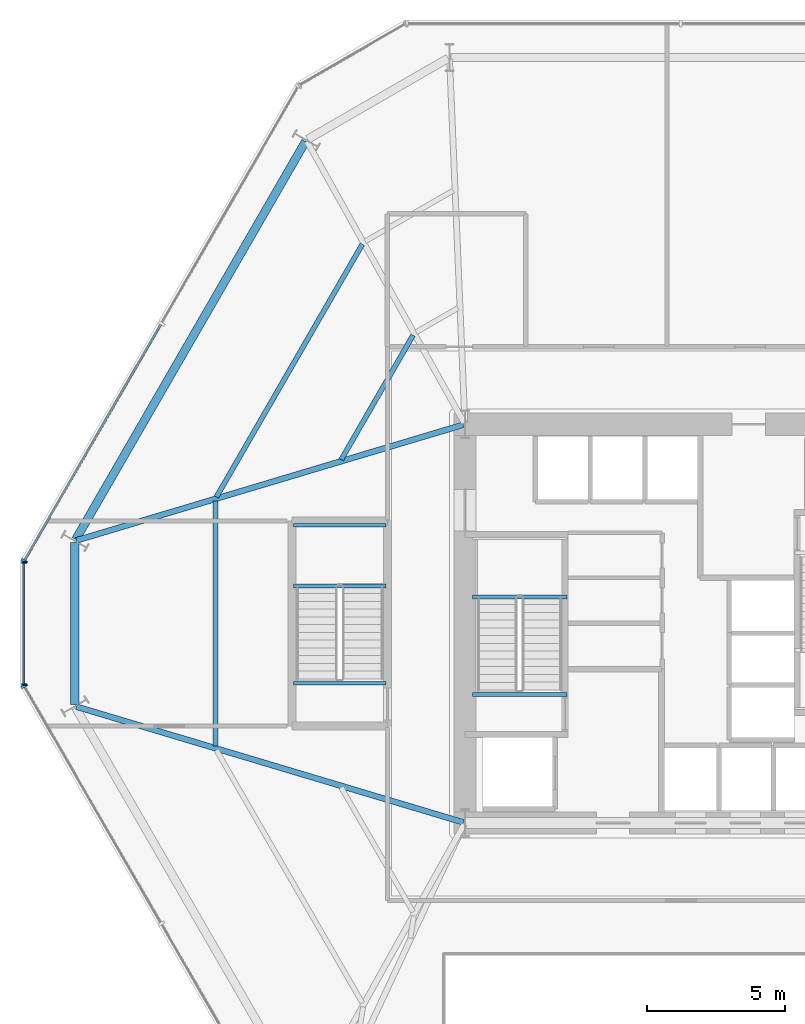
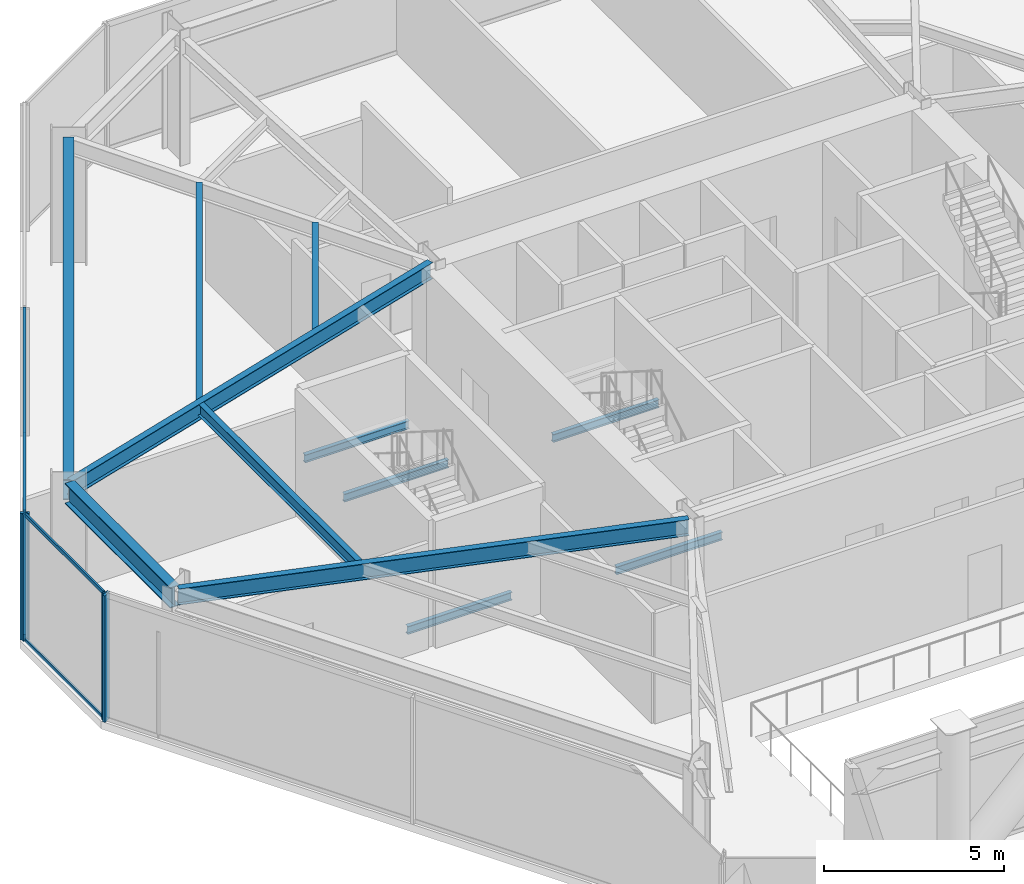
# One storey, part 7 of 23: 12 beams, 8 members, 3 elements without a shape of their own.
"""IFC4 building model written with IfcOpenShell, lengths in metres."""

from ifc_helpers import new_model, si_unit, direction, frame, origin, origin_2d, place, context, subcontext, project, spatial, rectangle, i_section, extrude, material, layer, layer_set, material_profile, profile_set, type_object, element, aggregate, save


model = new_model("IFC4")

# Units and contexts
model_context = context("Model", 3, precision=1e-05, world=origin(), true_north=direction((0.0, 1.0)))
body_context = subcontext(model_context, "Body", "Model", "MODEL_VIEW")
ifc_project = project(units=[si_unit("LENGTHUNIT", "METRE"), si_unit("AREAUNIT", "SQUARE_METRE"), si_unit("VOLUMEUNIT", "CUBIC_METRE"), si_unit("PLANEANGLEUNIT", "RADIAN"), si_unit("MASSUNIT", "GRAM", prefix="KILO")], contexts=[model_context])

# Site, building, storey
site_placement = place(None, origin())
site = spatial("IfcSite", under=ifc_project, at=site_placement, CompositionType="ELEMENT")
building_placement = place(site_placement, origin())
building = spatial("IfcBuilding", under=site, at=building_placement, Name="Kranzbogen Civic Tower", CompositionType="ELEMENT")
storey_placement = place(building_placement, frame((0.0, 0.0, 14.39990234375)))
storey = spatial("IfcBuildingStorey", under=building, at=storey_placement, Name="L03", CompositionType="ELEMENT", Elevation=14.39990234375)

# Curtain wall, members
ifc_material_1 = material(Name="Pale Anodised Aluminium", Category="aluminium")
ifc_layer_1 = layer(ifc_material_1, 0.219970703125, Name="Pale Anodised Aluminium")
ifc_layer_set_1 = layer_set([ifc_layer_1], Name="Pale Anodised Aluminium")
curtain_wall_type_1 = type_object("IfcCurtainWallType", Name="Chamfer Facet Stick Curtain Wall System CW-06", PredefinedType="USERDEFINED", material=ifc_layer_set_1)
curtain_wall_1_placement = place(storey_placement, origin())
curtain_wall_1 = element("IfcCurtainWall", 1, at=curtain_wall_1_placement, inside=storey, type_object=curtain_wall_type_1, Name="L03 curtain wall CW-L03-C3", ObjectType="STICK CURTAIN WALL", PredefinedType="USERDEFINED")
ifc_material_profile_1 = material_profile(ifc_material_1, rectangle(XDim=0.06005859375, YDim=0.159912109375, at=origin_2d()), Name="ALU-M 60x160")
ifc_profile_set_1 = profile_set([ifc_material_profile_1], Name="Pale Anodised Aluminium")
member_type_1 = type_object("IfcMemberType", Name="Curtain Wall Mullion ALU-M 60x160", PredefinedType="MULLION", material=ifc_profile_set_1)
member_1_placement = place(storey_placement, frame((1.26611328125, 27.20703125, 0.0), z_axis=(0.0, 0.0, 1.0), x_axis=(0.0, -1.0, 0.0)))
member_1 = element("IfcMember", 2, at=member_1_placement, type_object=member_type_1, Name="CW-06 mullion 1", PredefinedType="MULLION", context=body_context, shape_type="SweptSolid", body=[
    extrude(rectangle(XDim=0.06005859375, YDim=0.159912109375, at=origin_2d()), origin(), (0.0, 0.0, 1.0), 4.300048828125),
])
member_2_placement = place(storey_placement, frame((1.26611328125, 22.79296875, 0.0), z_axis=(0.0, 0.0, 1.0), x_axis=(0.0, -1.0, 0.0)))
member_2 = element("IfcMember", 3, at=member_2_placement, type_object=member_type_1, Name="CW-06 mullion 2", PredefinedType="MULLION", context=body_context, shape_type="SweptSolid", body=[
    extrude(rectangle(XDim=0.06005859375, YDim=0.159912109375, at=origin_2d()), origin(), (0.0, 0.0, 1.0), 4.300048828125),
])

# Curtain wall, member
ifc_layer_2 = layer(ifc_material_1, 0.219970703125, Name="Pale Anodised Aluminium")
ifc_layer_set_2 = layer_set([ifc_layer_2], Name="Pale Anodised Aluminium")
curtain_wall_type_2 = type_object("IfcCurtainWallType", Name="Podium Stick Curtain Wall System CW-01", PredefinedType="USERDEFINED", material=ifc_layer_set_2)
curtain_wall_2_placement = place(storey_placement, origin())
curtain_wall_2 = element("IfcCurtainWall", 4, at=curtain_wall_2_placement, inside=storey, type_object=curtain_wall_type_2, Name="L03 curtain wall CW-L03-F3", ObjectType="STICK CURTAIN WALL", PredefinedType="USERDEFINED")
ifc_material_profile_2 = material_profile(ifc_material_1, rectangle(XDim=0.0849609375, YDim=0.260009765625, at=origin_2d()), Name="ALU-M 85x260")
ifc_profile_set_2 = profile_set([ifc_material_profile_2], Name="Pale Anodised Aluminium")
member_type_2 = type_object("IfcMemberType", Name="Curtain Wall Mullion ALU-M 85x260", PredefinedType="MULLION", material=ifc_profile_set_2)
member_3_placement = place(storey_placement, frame((1.281005859375, 27.262939453125, 0.0), z_axis=(0.0, 0.0, 1.0), x_axis=(-0.500005767433, -0.86602207393, 0.0)))
member_3 = element("IfcMember", 5, at=member_3_placement, type_object=member_type_2, Name="CW-01 mullion 3", PredefinedType="MULLION", context=body_context, shape_type="SweptSolid", body=[
    extrude(rectangle(XDim=0.0849609375, YDim=0.260009765625, at=origin_2d()), origin(), (0.0, 0.0, 1.0), 4.300048828125),
])

curtain_wall_3_placement = place(storey_placement, origin())
curtain_wall_3 = element("IfcCurtainWall", 6, at=curtain_wall_3_placement, inside=storey, type_object=curtain_wall_type_2, Name="L03 curtain wall CW-L03-F4", ObjectType="STICK CURTAIN WALL", PredefinedType="USERDEFINED")
member_4_placement = place(storey_placement, frame((1.281005859375, 22.737060546875, 0.0), z_axis=(0.0, 0.0, 1.0), x_axis=(0.500005767433, -0.86602207393, 0.0)))
member_4 = element("IfcMember", 7, at=member_4_placement, type_object=member_type_2, Name="CW-01 mullion 1", PredefinedType="MULLION", context=body_context, shape_type="SweptSolid", body=[
    extrude(rectangle(XDim=0.0849609375, YDim=0.260009765625, at=origin_2d()), origin(), (0.0, 0.0, 1.0), 4.300048828125),
])
aggregate(curtain_wall_3, [member_4])

# Member
ifc_material_profile_3 = material_profile(ifc_material_1, rectangle(XDim=0.06005859375, YDim=0.1201171875, at=origin_2d()), Name="ALU-T 60x120")
ifc_profile_set_3 = profile_set([ifc_material_profile_3], Name="Pale Anodised Aluminium")
member_type_3 = type_object("IfcMemberType", Name="Curtain Wall Transom ALU-T 60x120", PredefinedType="USERDEFINED", material=ifc_profile_set_3)
member_5_placement = place(storey_placement, frame((1.26611328125, 27.177001953125, 0.030029296875), z_axis=(0.0, -1.0, 0.0), x_axis=(1.0, 0.0, 0.0)))
member_5 = element("IfcMember", 8, at=member_5_placement, type_object=member_type_3, Name="CW-06 transom 1.1", ObjectType="TRANSOM", PredefinedType="USERDEFINED", context=body_context, shape_type="SweptSolid", body=[
    extrude(rectangle(XDim=0.06005859375, YDim=0.1201171875, at=origin_2d()), origin(), (0.0, 0.0, 1.0), 4.35400390625),
])

member_6_placement = place(storey_placement, frame((1.26611328125, 27.177001953125, 4.27001953125), z_axis=(0.0, -1.0, 0.0), x_axis=(1.0, 0.0, 0.0)))
member_6 = element("IfcMember", 9, at=member_6_placement, type_object=member_type_3, Name="CW-06 transom 1.2", ObjectType="TRANSOM", PredefinedType="USERDEFINED", context=body_context, shape_type="SweptSolid", body=[
    extrude(rectangle(XDim=0.06005859375, YDim=0.1201171875, at=origin_2d()), origin(), (0.0, 0.0, 1.0), 4.35400390625),
])

aggregate(curtain_wall_1, [member_1, member_2, member_5, member_6])

ifc_material_profile_4 = material_profile(ifc_material_1, rectangle(XDim=0.0849609375, YDim=0.195068359375, at=origin_2d()), Name="ALU-T 85x195")
ifc_profile_set_4 = profile_set([ifc_material_profile_4], Name="Pale Anodised Aluminium")
member_type_4 = type_object("IfcMemberType", Name="Curtain Wall Transom ALU-T 85x195", PredefinedType="USERDEFINED", material=ifc_profile_set_4)
member_7_placement = place(storey_placement, frame((6.216064453125, 35.810546875, 0.030029296875), z_axis=(-0.500021701106, -0.866012874282, 0.0), x_axis=(0.866012874282, -0.500021701106, 0.0)))
member_7 = element("IfcMember", 10, at=member_7_placement, type_object=member_type_4, Name="CW-01 transom 2.1", ObjectType="TRANSOM", PredefinedType="USERDEFINED", context=body_context, shape_type="SweptSolid", body=[
    extrude(rectangle(XDim=0.0849609375, YDim=0.195068359375, at=origin_2d()), origin(), (0.0, 0.0, 1.0), 9.83984375),
])

member_8_placement = place(storey_placement, frame((6.216064453125, 35.810546875, 4.27001953125), z_axis=(-0.500021701106, -0.866012874282, 0.0), x_axis=(0.866012874282, -0.500021701106, 0.0)))
member_8 = element("IfcMember", 11, at=member_8_placement, type_object=member_type_4, Name="CW-01 transom 2.2", ObjectType="TRANSOM", PredefinedType="USERDEFINED", context=body_context, shape_type="SweptSolid", body=[
    extrude(rectangle(XDim=0.0849609375, YDim=0.195068359375, at=origin_2d()), origin(), (0.0, 0.0, 1.0), 9.83984375),
])

aggregate(curtain_wall_2, [member_3, member_7, member_8])

# Beams
ifc_material_2 = material(Name="Steel S355", Category="steel")
ifc_material_profile_5 = material_profile(ifc_material_2, i_section(OverallWidth=0.300048828125, OverallDepth=0.699951171875, WebThickness=0.01708984375, FlangeThickness=0.031982421875, at=origin_2d()), Name="HEB 700")
ifc_profile_set_5 = profile_set([ifc_material_profile_5], Name="Steel S355")
beam_type_1 = type_object("IfcBeamType", Name="Perimeter Tube Spandrel Beam HEB 700", PredefinedType="SPANDREL", material=ifc_profile_set_5)
beam_1_placement = place(storey_placement, frame((11.43896484375, 42.412109375, 3.9501953125), z_axis=(-0.500010210561, -0.866019508634, 0.0), x_axis=(0.866019508634, -0.500010210561, 0.0)))
element("IfcBeam", 12, at=beam_1_placement, inside=storey, type_object=beam_type_1, Name="L03 perimeter spandrel beam 11", PredefinedType="SPANDREL", context=body_context, shape_type="SweptSolid", body=[
    extrude(i_section(OverallWidth=0.300048828125, OverallDepth=0.699951171875, WebThickness=0.01708984375, FlangeThickness=0.031982421875, at=origin_2d()), origin(), (0.0, 0.0, 1.0), 16.597900390625),
])
beam_2_placement = place(storey_placement, frame((3.110107421875, 27.926025390625, 3.9501953125), z_axis=(0.0, -1.0, 0.0), x_axis=(1.0, 0.0, 0.0)))
element("IfcBeam", 13, at=beam_2_placement, inside=storey, type_object=beam_type_1, Name="L03 perimeter spandrel beam 12", PredefinedType="SPANDREL", context=body_context, shape_type="SweptSolid", body=[
    extrude(i_section(OverallWidth=0.300048828125, OverallDepth=0.699951171875, WebThickness=0.01708984375, FlangeThickness=0.031982421875, at=origin_2d()), origin(), (0.0, 0.0, 1.0), 5.85205078125),
])
ifc_material_profile_6 = material_profile(ifc_material_2, i_section(OverallWidth=0.2099609375, OverallDepth=0.550048828125, WebThickness=0.010986328125, FlangeThickness=0.01708984375, at=origin_2d()), Name="IPE 550")
ifc_profile_set_6 = profile_set([ifc_material_profile_6], Name="Steel S355")
beam_type_2 = type_object("IfcBeamType", Name="Radial Tower Floor Girder IPE 550", PredefinedType="BEAM", material=ifc_profile_set_6)
for number, where, z_axis, x_axis, name in (
    (14, (3.1669921875, 21.9970703125, 4.025146484375), (0.958064557048, -0.286552446385, 0.0), (0.286552446385, 0.958064557048, 0.0), "L03 radial floor girder 01"),
    (15, (3.1669921875, 28.0029296875, 4.025146484375), (0.958064557048, 0.286552446385, 0.0), (-0.286552446385, 0.958064557048, 0.0), "L03 radial floor girder 12"),
):
    element("IfcBeam", number, at=place(storey_placement, frame(where, z_axis=z_axis, x_axis=x_axis)), inside=storey, type_object=beam_type_2, Name=name, PredefinedType="BEAM", context=body_context, shape_type="SweptSolid", body=[
        extrude(i_section(OverallWidth=0.2099609375, OverallDepth=0.550048828125, WebThickness=0.010986328125, FlangeThickness=0.01708984375, at=origin_2d()), origin(), (0.0, 0.0, 1.0), 14.587890625),
    ])
ifc_material_profile_7 = material_profile(ifc_material_2, i_section(OverallWidth=0.179931640625, OverallDepth=0.39990234375, WebThickness=0.008544921875, FlangeThickness=0.013427734375, at=origin_2d()), Name="IPE 400")
ifc_profile_set_7 = profile_set([ifc_material_profile_7], Name="Steel S355")
beam_type_3 = type_object("IfcBeamType", Name="Secondary Composite Floor Joist IPE 400", PredefinedType="JOIST", material=ifc_profile_set_7)
beam_3_placement = place(storey_placement, frame((13.491943359375, 38.699951171875, 4.10009765625), z_axis=(-0.500000488781, -0.866025121586, 0.0), x_axis=(0.866025121586, -0.500000488781, 0.0)))
element("IfcBeam", 16, at=beam_3_placement, inside=storey, type_object=beam_type_3, Name="L03 secondary floor joist 1.11", PredefinedType="JOIST", context=body_context, shape_type="SweptSolid", body=[
    extrude(i_section(OverallWidth=0.179931640625, OverallDepth=0.39990234375, WebThickness=0.008544921875, FlangeThickness=0.013427734375, at=origin_2d()), origin(), (0.0, 0.0, 1.0), 10.5400390625),
])
beam_4_placement = place(storey_placement, frame((15.325927734375, 35.4150390625, 4.10009765625), z_axis=(-0.500040090343, -0.866002256377, 0.0), x_axis=(0.866002256377, -0.500040090343, 0.0)))
element("IfcBeam", 17, at=beam_4_placement, inside=storey, type_object=beam_type_3, Name="L03 secondary floor joist 2.11", PredefinedType="JOIST", context=body_context, shape_type="SweptSolid", body=[
    extrude(i_section(OverallWidth=0.179931640625, OverallDepth=0.39990234375, WebThickness=0.008544921875, FlangeThickness=0.013427734375, at=origin_2d()), origin(), (0.0, 0.0, 1.0), 5.189453125),
])
beam_5_placement = place(storey_placement, frame((8.181884765625, 29.423095703125, 4.10009765625), z_axis=(0.0, -1.0, 0.0), x_axis=(1.0, 0.0, 0.0)))
element("IfcBeam", 18, at=beam_5_placement, inside=storey, type_object=beam_type_3, Name="L03 secondary floor joist 1.12", PredefinedType="JOIST", context=body_context, shape_type="SweptSolid", body=[
    extrude(i_section(OverallWidth=0.179931640625, OverallDepth=0.39990234375, WebThickness=0.008544921875, FlangeThickness=0.013427734375, at=origin_2d()), origin(), (0.0, 0.0, 1.0), 8.84619140625),
])
ifc_material_profile_8 = material_profile(ifc_material_2, i_section(OverallWidth=0.135009765625, OverallDepth=0.27001953125, WebThickness=0.006591796875, FlangeThickness=0.01025390625, at=origin_2d()), Name="IPE 270")
ifc_profile_set_8 = profile_set([ifc_material_profile_8], Name="Steel S355")
beam_type_4 = type_object("IfcBeamType", Name="Stair Landing Support Beam IPE 270", PredefinedType="JOIST", material=ifc_profile_set_8)
for number, where, z_axis, x_axis, name in (
    (19, (20.8798828125, 22.43994140625, -0.39501953125), (-1.0, 0.0, 0.0), (0.0, -1.0, 0.0), "L03 ST-T1 stair floor header beam"),
    (20, (20.8798828125, 25.9599609375, 1.965087890625), (-1.0, 0.0, 0.0), (0.0, -1.0, 0.0), "L03 ST-T1 landing support beam 1.1"),
):
    element("IfcBeam", number, at=place(storey_placement, frame(where, z_axis=z_axis, x_axis=x_axis)), inside=storey, type_object=beam_type_4, Name=name, PredefinedType="JOIST", context=body_context, shape_type="SweptSolid", body=[
        extrude(i_section(OverallWidth=0.135009765625, OverallDepth=0.27001953125, WebThickness=0.006591796875, FlangeThickness=0.01025390625, at=origin_2d()), origin(), (0.0, 0.0, 1.0), 3.409912109375),
    ])
for number, where, z_axis, x_axis, name in (
    (21, (14.35009765625, 22.840087890625, -0.39501953125), (-1.0, 0.0, 0.0), (0.0, -1.0, 0.0), "L03 ST-P1 stair floor header beam"),
    (22, (14.35009765625, 26.360107421875, 1.965087890625), (-1.0, 0.0, 0.0), (0.0, -1.0, 0.0), "L03 ST-P1 landing support beam 1.1"),
    (23, (14.35009765625, 28.550048828125, 1.965087890625), (-1.0, 0.0, 0.0), (0.0, -1.0, 0.0), "L03 ST-P1 landing support beam 1.2"),
):
    element("IfcBeam", number, at=place(storey_placement, frame(where, z_axis=z_axis, x_axis=x_axis)), inside=storey, type_object=beam_type_4, Name=name, PredefinedType="JOIST", context=body_context, shape_type="SweptSolid", body=[
        extrude(i_section(OverallWidth=0.135009765625, OverallDepth=0.27001953125, WebThickness=0.006591796875, FlangeThickness=0.01025390625, at=origin_2d()), origin(), (0.0, 0.0, 1.0), 3.35009765625),
    ])

save(model, "model.ifc")
